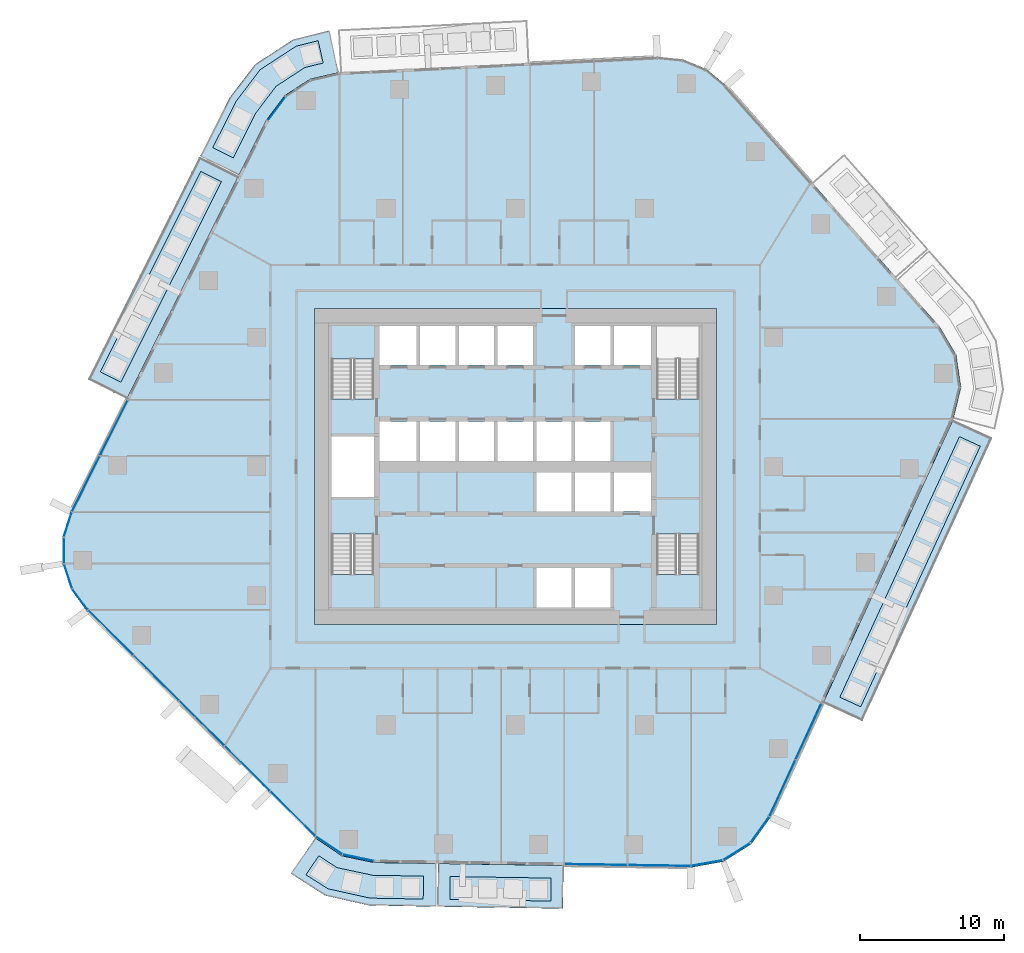
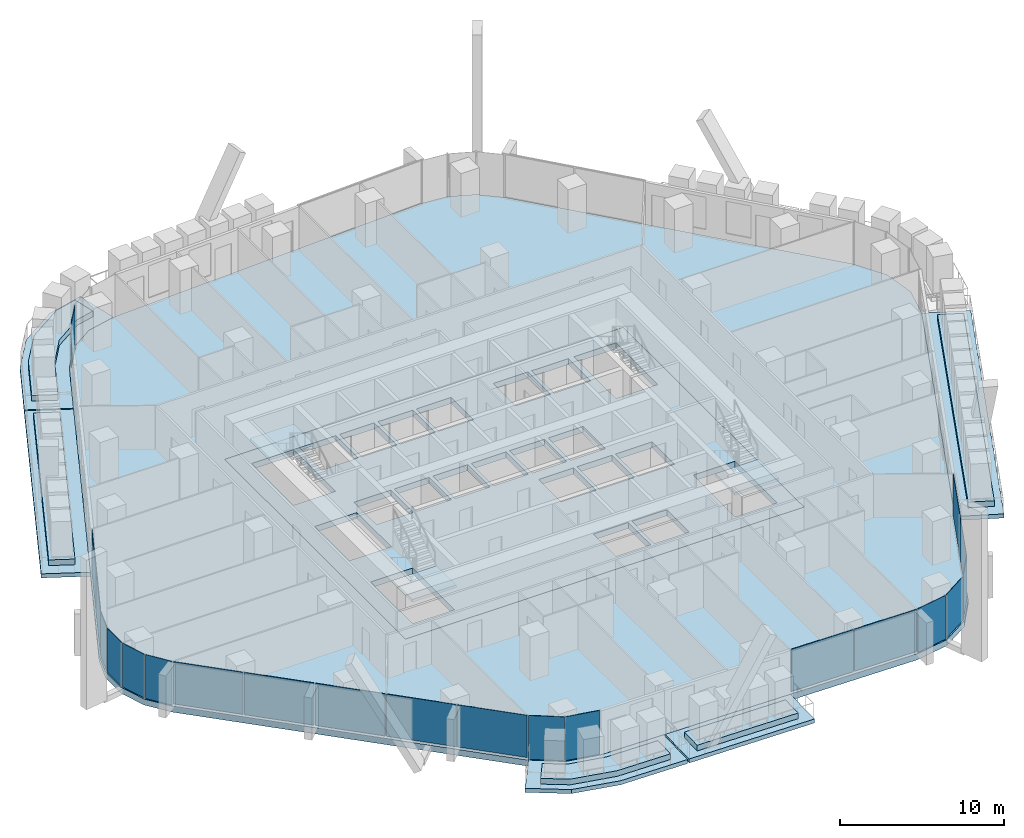
# One storey, part 10 of 26: 21 plates, 15 slabs, 11 elements without a shape of their own.
"""IFC4 building model written with IfcOpenShell, lengths in metres."""

from ifc_helpers import new_model, si_unit, direction, frame, origin, origin_2d, place, context, subcontext, project, spatial, polyline, rectangle, outline, extrude, material, layer, layer_set, type_object, element, aggregate, save


model = new_model("IFC4")

# Units and contexts
model_context = context("Model", 3, precision=1e-05, world=origin(), true_north=direction((0.0, 1.0)))
body_context = subcontext(model_context, "Body", "Model", "MODEL_VIEW")
ifc_project = project(units=[si_unit("LENGTHUNIT", "METRE"), si_unit("AREAUNIT", "SQUARE_METRE"), si_unit("VOLUMEUNIT", "CUBIC_METRE"), si_unit("PLANEANGLEUNIT", "RADIAN"), si_unit("MASSUNIT", "GRAM", prefix="KILO")], contexts=[model_context])

# Site, building, storey
site_placement = place(None, origin())
site = spatial("IfcSite", under=ifc_project, at=site_placement, CompositionType="ELEMENT")
building_placement = place(site_placement, origin())
building = spatial("IfcBuilding", under=site, at=building_placement, Name="Dongbaek Canopy Tower", CompositionType="ELEMENT")
storey_placement = place(building_placement, frame((0.0, 0.0, 95.199951171875)))
storey = spatial("IfcBuildingStorey", under=building, at=storey_placement, Name="L19", CompositionType="ELEMENT", Elevation=95.199951171875)

# Slabs
ifc_material_1 = material(Name="Concrete C40/50", Category="concrete")
ifc_layer_1 = layer(ifc_material_1, 0.300048828125)
ifc_layer_set_1 = layer_set([ifc_layer_1], Name="Balcony slab 300")
slab_type_1 = type_object("IfcSlabType", Name="Balcony slab 300", PredefinedType="FLOOR", material=ifc_layer_set_1)
slab_1_placement = place(storey_placement, frame((0.0, 0.0, -0.300048828125)))
element("IfcSlab", 1, at=slab_1_placement, inside=storey, type_object=slab_type_1, Name="Balcony L19 3", PredefinedType="FLOOR", context=body_context, shape_type="SweptSolid", body=[
    extrude(outline(polyline([(-19.29296875, 20.208740234375), (-27.054443359375, 4.7177734375), (-29.736572265625, 6.061767578125), (-21.97509765625, 21.552490234375), (-19.29296875, 20.208740234375)])), origin(), (0.0, 0.0, 1.0), 0.300048828125),
])
slab_2_placement = place(storey_placement, frame((0.0, 0.0, -0.300048828125)))
element("IfcSlab", 2, at=slab_2_placement, inside=storey, type_object=slab_type_1, Name="Balcony L19 7", PredefinedType="FLOOR", context=body_context, shape_type="SweptSolid", body=[
    extrude(outline(polyline([(-12.300537109375, 27.442138671875), (-14.301025390625, 26.98291015625), (-16.062255859375, 25.834228515625), (-17.31884765625, 24.1484375), (-19.248046875, 20.298095703125), (-21.93017578125, 21.641845703125), (-19.87255859375, 25.722900390625), (-18.115966796875, 28.02099609375), (-15.474365234375, 29.743896484375), (-12.971923828125, 30.365966796875), (-12.300537109375, 27.442138671875)])), origin(), (0.0, 0.0, 1.0), 0.300048828125),
])
slab_3_placement = place(storey_placement, frame((0.0, 0.0, -0.300048828125)))
element("IfcSlab", 3, at=slab_3_placement, inside=storey, type_object=slab_type_1, Name="Balcony L19 4", PredefinedType="FLOOR", context=body_context, shape_type="SweptSolid", body=[
    extrude(outline(polyline([(-5.375244140625, -27.649658203125), (3.3583984375, -27.7841796875), (3.312255859375, -30.783935546875), (-5.42138671875, -30.649169921875), (-5.375244140625, -27.649658203125)])), origin(), (0.0, 0.0, 1.0), 0.300048828125),
])
slab_4_placement = place(storey_placement, frame((0.0, 0.0, -0.300048828125)))
element("IfcSlab", 4, at=slab_4_placement, inside=storey, type_object=slab_type_1, Name="Balcony L19 8", PredefinedType="FLOOR", context=body_context, shape_type="SweptSolid", body=[
    extrude(outline(polyline([(-13.938720703125, -25.864013671875), (-12.08056640625, -27.110107421875), (-9.842041015625, -27.580810546875), (-5.47509765625, -27.64794921875), (-5.521484375, -30.647705078125), (-10.17529296875, -30.562255859375), (-13.245849609375, -29.87451171875), (-15.609619140625, -28.35546875), (-13.938720703125, -25.864013671875)])), origin(), (0.0, 0.0, 1.0), 0.300048828125),
])
slab_5_placement = place(storey_placement, frame((0.0, 0.0, -0.300048828125)))
element("IfcSlab", 5, at=slab_5_placement, inside=storey, type_object=slab_type_1, Name="Balcony L19 5", PredefinedType="FLOOR", context=body_context, shape_type="SweptSolid", body=[
    extrude(outline(polyline([(21.44091796875, -16.46435546875), (30.480712890625, 3.231689453125), (33.207275390625, 1.980224609375), (24.16748046875, -17.7158203125), (21.44091796875, -16.46435546875)])), origin(), (0.0, 0.0, 1.0), 0.300048828125),
])

# Curtain wall, plate
ifc_material_2 = material(Name="Aluminium 6063-T6 pale anodised", Category="aluminium")
ifc_layer_2 = layer(ifc_material_2, 0.199951171875)
ifc_layer_set_2 = layer_set([ifc_layer_2], Name="CW-1 unitised tower curtain wall")
curtain_wall_type = type_object("IfcCurtainWallType", Name="CW-1 unitised tower curtain wall", PredefinedType="NOTDEFINED", material=ifc_layer_set_2)
curtain_wall_1_placement = place(storey_placement, origin())
curtain_wall_1 = element("IfcCurtainWall", 6, at=curtain_wall_1_placement, inside=storey, type_object=curtain_wall_type, Name="CW-1 curtain wall K2.1b", PredefinedType="NOTDEFINED")
ifc_material_3 = material(Name="Clear laminated glass", Category="glass")
ifc_layer_3 = layer(ifc_material_3, 0.028076171875)
ifc_layer_set_3 = layer_set([ifc_layer_3], Name="CW-1 glazed panel 28")
plate_type = type_object("IfcPlateType", Name="CW-1 glazed panel 28", PredefinedType="CURTAIN_PANEL", material=ifc_layer_set_3)
plate_1_placement = place(storey_placement, frame((-16.613037109375, 24.927978515625, 0.0), z_axis=(0.0, 0.0, 1.0), x_axis=(-0.597679920267, -0.80173481458, 0.0)))
plate_1 = element("IfcPlate", 7, at=plate_1_placement, type_object=plate_type, Name="CW-1 panel K2.1b.2.1", PredefinedType="CURTAIN_PANEL", context=body_context, shape_type="SweptSolid", body=[
    extrude(rectangle(XDim=1.991943359375, YDim=0.028076171875, at=origin_2d()), origin(), (0.0, 0.0, 1.0), 3.25),
])
aggregate(curtain_wall_1, [plate_1])

# Curtain wall, plates
curtain_wall_2_placement = place(storey_placement, origin())
curtain_wall_2 = element("IfcCurtainWall", 8, at=curtain_wall_2_placement, inside=storey, type_object=curtain_wall_type, Name="CW-1 curtain wall F2.1", PredefinedType="NOTDEFINED")
plate_2_placement = place(storey_placement, frame((-27.963134765625, 2.6806640625, 0.1201171875), z_axis=(0.0, 0.0, 1.0), x_axis=(-0.447955625381, -0.894055791151, 0.0)))
plate_2 = element("IfcPlate", 9, at=plate_2_placement, type_object=plate_type, Name="CW-1 panel F2.1.1.1", PredefinedType="CURTAIN_PANEL", context=body_context, shape_type="SweptSolid", body=[
    extrude(rectangle(XDim=4.272705078125, YDim=0.028076171875, at=origin_2d()), origin(), (0.0, 0.0, 1.0), 3.1298828125),
])
plate_3_placement = place(storey_placement, frame((-29.9130859375, -1.210693359375, 0.1201171875), z_axis=(0.0, 0.0, 1.0), x_axis=(-0.447955625381, -0.894055791151, 0.0)))
plate_3 = element("IfcPlate", 10, at=plate_3_placement, type_object=plate_type, Name="CW-1 panel F2.1.2.1", PredefinedType="CURTAIN_PANEL", context=body_context, shape_type="SweptSolid", body=[
    extrude(rectangle(XDim=4.264892578125, YDim=0.028076171875, at=origin_2d()), origin(), (0.0, 0.0, 1.0), 3.1298828125),
])
aggregate(curtain_wall_2, [plate_2, plate_3])

curtain_wall_3_placement = place(storey_placement, origin())
curtain_wall_3 = element("IfcCurtainWall", 11, at=curtain_wall_3_placement, inside=storey, type_object=curtain_wall_type, Name="CW-1 curtain wall K3.1", PredefinedType="NOTDEFINED")
plate_4_placement = place(storey_placement, frame((-31.1669921875, -4.03515625, 0.0), z_axis=(0.0, 0.0, 1.0), x_axis=(-0.303048141579, -0.952975248307, 0.0)))
plate_4 = element("IfcPlate", 12, at=plate_4_placement, type_object=plate_type, Name="CW-1 panel K3.1.1.1", PredefinedType="CURTAIN_PANEL", context=body_context, shape_type="SweptSolid", body=[
    extrude(rectangle(XDim=1.763671875, YDim=0.028076171875, at=origin_2d()), origin(), (0.0, 0.0, 1.0), 3.25),
])
plate_5_placement = place(storey_placement, frame((-31.442138671875, -5.83544921875, 0.0), z_axis=(0.0, 0.0, 1.0), x_axis=(0.005286005708, -0.999986028974, 0.0)))
plate_5 = element("IfcPlate", 13, at=plate_5_placement, type_object=plate_type, Name="CW-1 panel K3.1.2.1", PredefinedType="CURTAIN_PANEL", context=body_context, shape_type="SweptSolid", body=[
    extrude(rectangle(XDim=1.755859375, YDim=0.028076171875, at=origin_2d()), origin(), (0.0, 0.0, 1.0), 3.25),
])
plate_6_placement = place(storey_placement, frame((-31.149169921875, -7.629150390625, 0.0), z_axis=(0.0, 0.0, 1.0), x_axis=(0.313105930571, -0.94971820886, 0.0)))
plate_6 = element("IfcPlate", 14, at=plate_6_placement, type_object=plate_type, Name="CW-1 panel K3.1.3.1", PredefinedType="CURTAIN_PANEL", context=body_context, shape_type="SweptSolid", body=[
    extrude(rectangle(XDim=1.755859375, YDim=0.028076171875, at=origin_2d()), origin(), (0.0, 0.0, 1.0), 3.25),
])
plate_7_placement = place(storey_placement, frame((-30.315673828125, -9.248291015625, 0.0), z_axis=(0.0, 0.0, 1.0), x_axis=(0.59046692307, -0.80706183949, 0.0)))
plate_7 = element("IfcPlate", 15, at=plate_7_placement, type_object=plate_type, Name="CW-1 panel K3.1.4.1", PredefinedType="CURTAIN_PANEL", context=body_context, shape_type="SweptSolid", body=[
    extrude(rectangle(XDim=1.763671875, YDim=0.028076171875, at=origin_2d()), origin(), (0.0, 0.0, 1.0), 3.25),
])
aggregate(curtain_wall_3, [plate_4, plate_5, plate_6, plate_7])

curtain_wall_4_placement = place(storey_placement, origin())
curtain_wall_4 = element("IfcCurtainWall", 16, at=curtain_wall_4_placement, inside=storey, type_object=curtain_wall_type, Name="CW-1 curtain wall F3.1", PredefinedType="NOTDEFINED")
plate_8_placement = place(storey_placement, frame((-28.186279296875, -11.56884765625, 0.1201171875), z_axis=(0.0, 0.0, 1.0), x_axis=(0.709102880768, -0.705105030819, 0.0)))
plate_8 = element("IfcPlate", 17, at=plate_8_placement, type_object=plate_type, Name="CW-1 panel F3.1.1.1", PredefinedType="CURTAIN_PANEL", context=body_context, shape_type="SweptSolid", body=[
    extrude(rectangle(XDim=4.383056640625, YDim=0.028076171875, at=origin_2d()), origin(), (0.0, 0.0, 1.0), 3.1298828125),
])
plate_9_placement = place(storey_placement, frame((-25.015869140625, -14.721435546875, 0.1201171875), z_axis=(0.0, 0.0, 1.0), x_axis=(0.709102880768, -0.705105030819, 0.0)))
plate_9 = element("IfcPlate", 18, at=plate_9_placement, type_object=plate_type, Name="CW-1 panel F3.1.2.1", PredefinedType="CURTAIN_PANEL", context=body_context, shape_type="SweptSolid", body=[
    extrude(rectangle(XDim=4.390869140625, YDim=0.028076171875, at=origin_2d()), origin(), (0.0, 0.0, 1.0), 3.1298828125),
])
plate_10_placement = place(storey_placement, frame((-21.8427734375, -17.876708984375, 0.1201171875), z_axis=(0.0, 0.0, 1.0), x_axis=(0.709102880768, -0.705105030819, 0.0)))
plate_10 = element("IfcPlate", 19, at=plate_10_placement, type_object=plate_type, Name="CW-1 panel F3.1.3.1", PredefinedType="CURTAIN_PANEL", context=body_context, shape_type="SweptSolid", body=[
    extrude(rectangle(XDim=4.390869140625, YDim=0.028076171875, at=origin_2d()), origin(), (0.0, 0.0, 1.0), 3.1298828125),
])
plate_11_placement = place(storey_placement, frame((-18.66943359375, -21.0322265625, 0.1201171875), z_axis=(0.0, 0.0, 1.0), x_axis=(0.709102880768, -0.705105030819, 0.0)))
plate_11 = element("IfcPlate", 20, at=plate_11_placement, type_object=plate_type, Name="CW-1 panel F3.1.4.1", PredefinedType="CURTAIN_PANEL", context=body_context, shape_type="SweptSolid", body=[
    extrude(rectangle(XDim=4.390869140625, YDim=0.028076171875, at=origin_2d()), origin(), (0.0, 0.0, 1.0), 3.1298828125),
])
plate_12_placement = place(storey_placement, frame((-15.499755859375, -24.18408203125, 0.1201171875), z_axis=(0.0, 0.0, 1.0), x_axis=(0.709102880768, -0.705105030819, 0.0)))
plate_12 = element("IfcPlate", 21, at=plate_12_placement, type_object=plate_type, Name="CW-1 panel F3.1.5.1", PredefinedType="CURTAIN_PANEL", context=body_context, shape_type="SweptSolid", body=[
    extrude(rectangle(XDim=4.38134765625, YDim=0.028076171875, at=origin_2d()), origin(), (0.0, 0.0, 1.0), 3.1298828125),
])
aggregate(curtain_wall_4, [plate_8, plate_9, plate_10, plate_11, plate_12])

curtain_wall_5_placement = place(storey_placement, origin())
curtain_wall_5 = element("IfcCurtainWall", 22, at=curtain_wall_5_placement, inside=storey, type_object=curtain_wall_type, Name="CW-1 curtain wall K4.1", PredefinedType="NOTDEFINED")
plate_13_placement = place(storey_placement, frame((-12.978759765625, -26.38720703125, 0.0), z_axis=(0.0, 0.0, 1.0), x_axis=(0.830505455557, -0.557010492083, 0.0)))
plate_13 = element("IfcPlate", 23, at=plate_13_placement, type_object=plate_type, Name="CW-1 panel K4.1.1.1", PredefinedType="CURTAIN_PANEL", context=body_context, shape_type="SweptSolid", body=[
    extrude(rectangle(XDim=2.17431640625, YDim=0.028076171875, at=origin_2d()), origin(), (0.0, 0.0, 1.0), 3.25),
])
plate_14_placement = place(storey_placement, frame((-10.935791015625, -27.24853515625, 0.0), z_axis=(0.0, 0.0, 1.0), x_axis=(0.978610165057, -0.205723466931, 0.0)))
plate_14 = element("IfcPlate", 24, at=plate_14_placement, type_object=plate_type, Name="CW-1 panel K4.1.2.1", PredefinedType="CURTAIN_PANEL", context=body_context, shape_type="SweptSolid", body=[
    extrude(rectangle(XDim=2.17431640625, YDim=0.028076171875, at=origin_2d()), origin(), (0.0, 0.0, 1.0), 3.25),
])
aggregate(curtain_wall_5, [plate_13, plate_14])

curtain_wall_6_placement = place(storey_placement, origin())
curtain_wall_6 = element("IfcCurtainWall", 25, at=curtain_wall_6_placement, inside=storey, type_object=curtain_wall_type, Name="CW-1 curtain wall F4.1", PredefinedType="NOTDEFINED")
plate_15_placement = place(storey_placement, frame((5.618408203125, -27.718994140625, 0.1201171875), z_axis=(0.0, 0.0, 1.0), x_axis=(0.999881214531, -0.015412878639, 0.0)))
plate_15 = element("IfcPlate", 26, at=plate_15_placement, type_object=plate_type, Name="CW-1 panel F4.1.1.1", PredefinedType="CURTAIN_PANEL", context=body_context, shape_type="SweptSolid", body=[
    extrude(rectangle(XDim=4.333251953125, YDim=0.028076171875, at=origin_2d()), origin(), (0.0, 0.0, 1.0), 3.1298828125),
])
plate_16_placement = place(storey_placement, frame((10.0302734375, -27.787109375, 0.1201171875), z_axis=(0.0, 0.0, 1.0), x_axis=(0.999881214531, -0.015412878639, 0.0)))
plate_16 = element("IfcPlate", 27, at=plate_16_placement, type_object=plate_type, Name="CW-1 panel F4.1.2.1", PredefinedType="CURTAIN_PANEL", context=body_context, shape_type="SweptSolid", body=[
    extrude(rectangle(XDim=4.32373046875, YDim=0.028076171875, at=origin_2d()), origin(), (0.0, 0.0, 1.0), 3.1298828125),
])
aggregate(curtain_wall_6, [plate_15, plate_16])

curtain_wall_7_placement = place(storey_placement, origin())
curtain_wall_7 = element("IfcCurtainWall", 28, at=curtain_wall_7_placement, inside=storey, type_object=curtain_wall_type, Name="CW-1 curtain wall K5.1", PredefinedType="NOTDEFINED")
plate_17_placement = place(storey_placement, frame((13.350341796875, -27.62109375, 0.0), z_axis=(0.0, 0.0, 1.0), x_axis=(0.984333827458, 0.176314821048, 0.0)))
plate_17 = element("IfcPlate", 29, at=plate_17_placement, type_object=plate_type, Name="CW-1 panel K5.1.1.1", PredefinedType="CURTAIN_PANEL", context=body_context, shape_type="SweptSolid", body=[
    extrude(rectangle(XDim=2.184326171875, YDim=0.028076171875, at=origin_2d()), origin(), (0.0, 0.0, 1.0), 3.25),
])
plate_18_placement = place(storey_placement, frame((15.422119140625, -26.81884765625, 0.0), z_axis=(0.0, 0.0, 1.0), x_axis=(0.845897275407, 0.533345853512, 0.0)))
plate_18 = element("IfcPlate", 30, at=plate_18_placement, type_object=plate_type, Name="CW-1 panel K5.1.2.1", PredefinedType="CURTAIN_PANEL", context=body_context, shape_type="SweptSolid", body=[
    extrude(rectangle(XDim=2.174560546875, YDim=0.028076171875, at=origin_2d()), origin(), (0.0, 0.0, 1.0), 3.25),
])
plate_19_placement = place(storey_placement, frame((17.0390625, -25.295166015625, 0.0), z_axis=(0.0, 0.0, 1.0), x_axis=(0.583421868273, 0.812169270301, 0.0)))
plate_19 = element("IfcPlate", 31, at=plate_19_placement, type_object=plate_type, Name="CW-1 panel K5.1.3.1", PredefinedType="CURTAIN_PANEL", context=body_context, shape_type="SweptSolid", body=[
    extrude(rectangle(XDim=2.184326171875, YDim=0.028076171875, at=origin_2d()), origin(), (0.0, 0.0, 1.0), 3.25),
])
aggregate(curtain_wall_7, [plate_17, plate_18, plate_19])

curtain_wall_8_placement = place(storey_placement, origin())
curtain_wall_8 = element("IfcCurtainWall", 32, at=curtain_wall_8_placement, inside=storey, type_object=curtain_wall_type, Name="CW-1 curtain wall F5.1", PredefinedType="NOTDEFINED")
plate_20_placement = place(storey_placement, frame((18.60693359375, -22.39990234375, 0.1201171875), z_axis=(0.0, 0.0, 1.0), x_axis=(0.417125975185, 0.908848678728, 0.0)))
plate_20 = element("IfcPlate", 33, at=plate_20_placement, type_object=plate_type, Name="CW-1 panel F5.1.1.1", PredefinedType="CURTAIN_PANEL", context=body_context, shape_type="SweptSolid", body=[
    extrude(rectangle(XDim=4.260498046875, YDim=0.028076171875, at=origin_2d()), origin(), (0.0, 0.0, 1.0), 3.1298828125),
])
plate_21_placement = place(storey_placement, frame((20.421142578125, -18.44677734375, 0.1201171875), z_axis=(0.0, 0.0, 1.0), x_axis=(0.417125975185, 0.908848678728, 0.0)))
plate_21 = element("IfcPlate", 34, at=plate_21_placement, type_object=plate_type, Name="CW-1 panel F5.1.2.1", PredefinedType="CURTAIN_PANEL", context=body_context, shape_type="SweptSolid", body=[
    extrude(rectangle(XDim=4.270263671875, YDim=0.028076171875, at=origin_2d()), origin(), (0.0, 0.0, 1.0), 3.1298828125),
])
aggregate(curtain_wall_8, [plate_20, plate_21])

# Slab
ifc_material_4 = material(Name="Concrete C40/50", Category="concrete")
ifc_layer_4 = layer(ifc_material_4, 0.449951171875)
ifc_layer_set_4 = layer_set([ifc_layer_4], Name="Core floor slab 450 Concrete C40/50")
slab_type_2 = type_object("IfcSlabType", Name="Core floor slab 450 Concrete C40/50", PredefinedType="FLOOR", material=ifc_layer_set_4)
slab_6_placement = place(storey_placement, frame((0.0, 0.0, -0.449951171875)))
element("IfcSlab", 35, at=slab_6_placement, inside=storey, type_object=slab_type_2, Name="Core floor slab L19", PredefinedType="FLOOR", context=body_context, shape_type="SweptSolid", body=[
    extrude(outline(polyline([(14.0, -11.0), (14.0, 11.0), (-14.0, 11.0), (-14.0, -11.0), (14.0, -11.0)]), holes=[polyline([(-12.800048828125, 2.10009765625), (-9.85009765625, 2.10009765625), (-9.85009765625, -2.10009765625), (-12.800048828125, -2.10009765625), (-12.800048828125, 2.10009765625)]), polyline([(-6.875, 9.800048828125), (-6.875, 7.074951171875), (-9.449951171875, 7.074951171875), (-9.449951171875, 9.800048828125), (-6.875, 9.800048828125)]), polyline([(-4.175048828125, 9.800048828125), (-4.175048828125, 7.074951171875), (-6.625, 7.074951171875), (-6.625, 9.800048828125), (-4.175048828125, 9.800048828125)]), polyline([(-1.47509765625, 9.800048828125), (-1.47509765625, 7.074951171875), (-3.925048828125, 7.074951171875), (-3.925048828125, 9.800048828125), (-1.47509765625, 9.800048828125)]), polyline([(1.22509765625, 9.800048828125), (1.22509765625, 7.074951171875), (-1.22509765625, 7.074951171875), (-1.22509765625, 9.800048828125), (1.22509765625, 9.800048828125)]), polyline([(6.625, 9.800048828125), (6.625, 7.074951171875), (4.175048828125, 7.074951171875), (4.175048828125, 9.800048828125), (6.625, 9.800048828125)]), polyline([(9.449951171875, 7.074951171875), (6.875, 7.074951171875), (6.875, 9.800048828125), (9.449951171875, 9.800048828125), (9.449951171875, 7.074951171875)]), polyline([(-9.449951171875, 3.125), (-6.875, 3.125), (-6.875, 0.39990234375), (-9.449951171875, 0.39990234375), (-9.449951171875, 3.125)]), polyline([(-6.625, 3.125), (-4.175048828125, 3.125), (-4.175048828125, 0.39990234375), (-6.625, 0.39990234375), (-6.625, 3.125)]), polyline([(-3.925048828125, 3.125), (-1.47509765625, 3.125), (-1.47509765625, 0.39990234375), (-3.925048828125, 0.39990234375), (-3.925048828125, 3.125)]), polyline([(-1.22509765625, 0.39990234375), (-1.22509765625, 3.125), (1.22509765625, 3.125), (1.22509765625, 0.39990234375), (-1.22509765625, 0.39990234375)]), polyline([(1.47509765625, 0.39990234375), (1.47509765625, 3.125), (3.925048828125, 3.125), (3.925048828125, 0.39990234375), (1.47509765625, 0.39990234375)]), polyline([(4.175048828125, 0.39990234375), (4.175048828125, 3.125), (6.625, 3.125), (6.625, 0.39990234375), (4.175048828125, 0.39990234375)]), polyline([(1.47509765625, -0.39990234375), (3.925048828125, -0.39990234375), (3.925048828125, -3.125), (1.47509765625, -3.125), (1.47509765625, -0.39990234375)]), polyline([(6.625, -0.39990234375), (6.625, -3.125), (4.175048828125, -3.125), (4.175048828125, -0.39990234375), (6.625, -0.39990234375)]), polyline([(9.449951171875, -3.125), (6.875, -3.125), (6.875, -0.39990234375), (9.449951171875, -0.39990234375), (9.449951171875, -3.125)]), polyline([(1.47509765625, -9.800048828125), (1.47509765625, -7.074951171875), (3.925048828125, -7.074951171875), (3.925048828125, -9.800048828125), (1.47509765625, -9.800048828125)]), polyline([(4.175048828125, -9.800048828125), (4.175048828125, -7.074951171875), (6.625, -7.074951171875), (6.625, -9.800048828125), (4.175048828125, -9.800048828125)]), polyline([(12.800048828125, 4.70068359375), (12.800048828125, 9.800048828125), (9.85009765625, 9.800048828125), (9.85009765625, 4.70068359375), (12.800048828125, 4.70068359375)]), polyline([(-9.85009765625, 4.70068359375), (-9.85009765625, 9.800048828125), (-12.800048828125, 9.800048828125), (-12.800048828125, 4.70068359375), (-9.85009765625, 4.70068359375)]), polyline([(9.85009765625, -4.70068359375), (9.85009765625, -9.800048828125), (12.800048828125, -9.800048828125), (12.800048828125, -4.70068359375), (9.85009765625, -4.70068359375)]), polyline([(-12.800048828125, -4.70068359375), (-12.800048828125, -9.800048828125), (-9.85009765625, -9.800048828125), (-9.85009765625, -4.70068359375), (-12.800048828125, -4.70068359375)])]), origin(), (0.0, 0.0, 1.0), 0.449951171875),
])

# Stair, slab
ifc_material_5 = material(Name="Concrete C40/50", Category="concrete")
stair_type = type_object("IfcStairType", Name="Core exit stair", PredefinedType="HALF_TURN_STAIR", material=ifc_material_5)
stair_1_placement = place(storey_placement, origin())
stair_1 = element("IfcStair", 36, at=stair_1_placement, inside=storey, type_object=stair_type, Name="L19 exit stair C", PredefinedType="HALF_TURN_STAIR")
ifc_material_6 = material(Name="Concrete C40/50", Category="concrete")
ifc_layer_5 = layer(ifc_material_6, 0.199951171875)
ifc_layer_set_5 = layer_set([ifc_layer_5], Name="Core stair landing 200")
slab_type_3 = type_object("IfcSlabType", Name="Core stair landing 200", PredefinedType="LANDING", material=ifc_layer_set_5)
slab_7_placement = place(storey_placement, frame((0.0, 0.0, 1.650146484375)))
slab_7 = element("IfcSlab", 37, at=slab_7_placement, type_object=slab_type_3, Name="ST-C landing 1", PredefinedType="LANDING", context=body_context, shape_type="SweptSolid", body=[
    extrude(outline(polyline([(-9.77490234375, 7.5), (-9.77490234375, 9.875), (-12.875, 9.875), (-12.875, 7.5), (-9.77490234375, 7.5)])), origin(), (0.0, 0.0, 1.0), 0.199951171875),
])
aggregate(stair_1, [slab_7])

stair_2_placement = place(storey_placement, origin())
stair_2 = element("IfcStair", 38, at=stair_2_placement, inside=storey, type_object=stair_type, Name="L19 exit stair B", PredefinedType="HALF_TURN_STAIR")
slab_8_placement = place(storey_placement, frame((0.0, 0.0, 1.650146484375)))
slab_8 = element("IfcSlab", 39, at=slab_8_placement, type_object=slab_type_3, Name="ST-B landing 1", PredefinedType="LANDING", context=body_context, shape_type="SweptSolid", body=[
    extrude(outline(polyline([(9.77490234375, -7.5), (9.77490234375, -9.875), (12.875, -9.875), (12.875, -7.5), (9.77490234375, -7.5)])), origin(), (0.0, 0.0, 1.0), 0.199951171875),
])
aggregate(stair_2, [slab_8])

stair_3_placement = place(storey_placement, origin())
stair_3 = element("IfcStair", 40, at=stair_3_placement, inside=storey, type_object=stair_type, Name="L19 exit stair D", PredefinedType="HALF_TURN_STAIR")
slab_9_placement = place(storey_placement, frame((0.0, 0.0, 1.650146484375)))
slab_9 = element("IfcSlab", 41, at=slab_9_placement, type_object=slab_type_3, Name="ST-D landing 1", PredefinedType="LANDING", context=body_context, shape_type="SweptSolid", body=[
    extrude(outline(polyline([(-12.875, -7.5), (-12.875, -9.875), (-9.77490234375, -9.875), (-9.77490234375, -7.5), (-12.875, -7.5)])), origin(), (0.0, 0.0, 1.0), 0.199951171875),
])
aggregate(stair_3, [slab_9])

# Slabs
ifc_material_7 = material(Name="Concrete C40", Category="concrete")
ifc_layer_6 = layer(ifc_material_7, 0.449951171875)
ifc_layer_set_6 = layer_set([ifc_layer_6], Name="RC FLAT PLATE 450 Concrete C40")
slab_type_4 = type_object("IfcSlabType", Name="RC FLAT PLATE 450 Concrete C40", PredefinedType="FLOOR", material=ifc_layer_set_6)
slab_10_placement = place(storey_placement, frame((0.0, 0.0, -0.449951171875)))
element("IfcSlab", 42, at=slab_10_placement, inside=storey, type_object=slab_type_4, Name="SLAB:L19", PredefinedType="FLOOR", context=body_context, shape_type="SweptSolid", body=[
    extrude(outline(polyline([(17.78759765625, -24.424560546875), (16.447021484375, -26.29052734375), (14.503662109375, -27.51611328125), (12.241943359375, -27.921142578125), (-9.842041015625, -27.580810546875), (-12.080322265625, -27.110107421875), (-13.97998046875, -25.8359375), (-29.84619140625, -10.059326171875), (-30.951171875, -8.549072265625), (-31.537109375, -6.771728515625), (-31.547119140625, -4.900390625), (-30.97998046875, -3.116943359375), (-17.31884765625, 24.1484375), (-16.062255859375, 25.833984375), (-14.301025390625, 26.98291015625), (-12.251708984375, 27.453369140625), (9.896728515625, 28.5517578125), (11.672607421875, 28.3740234375), (13.317626953125, 27.681884765625), (14.686279296875, 26.536376953125), (29.541015625, 9.7568359375), (30.70556640625, 7.77880859375), (31.042236328125, 5.508056640625), (30.50146484375, 3.277099609375), (17.78759765625, -24.424560546875)]), holes=[polyline([(14.0, 11.0), (-14.0, 11.0), (-14.0, -11.0), (14.0, -11.0), (14.0, 11.0)])]), origin(), (0.0, 0.0, 1.0), 0.449951171875),
])
ifc_material_8 = material(Name="Reinforced concrete C40/50 planter box with soil", Category="concrete")
ifc_layer_7 = layer(ifc_material_8, 0.419921875)
ifc_layer_set_7 = layer_set([ifc_layer_7], Name="Terrace planter box 1600 x 420")
slab_type_5 = type_object("IfcSlabType", Name="Terrace planter box 1600 x 420", PredefinedType="USERDEFINED", material=ifc_layer_set_7)
slab_11_placement = place(storey_placement, origin())
element("IfcSlab", 43, at=slab_11_placement, inside=storey, type_object=slab_type_5, Name="Balcony planter L19 3", ObjectType="PLANTER", PredefinedType="USERDEFINED", context=body_context, shape_type="SweptSolid", body=[
    extrude(outline(polyline([(-20.469482421875, 19.847412109375), (-27.469482421875, 5.87646484375), (-28.89990234375, 6.59326171875), (-21.89990234375, 20.564208984375), (-20.469482421875, 19.847412109375)])), origin(), (0.0, 0.0, 1.0), 0.420166015625),
])
slab_12_placement = place(storey_placement, origin())
element("IfcSlab", 44, at=slab_12_placement, inside=storey, type_object=slab_type_5, Name="Balcony planter L19 7", ObjectType="PLANTER", PredefinedType="USERDEFINED", context=body_context, shape_type="SweptSolid", body=[
    extrude(outline(polyline([(-13.376953125, 28.108154296875), (-14.649169921875, 27.802001953125), (-16.671630859375, 26.48291015625), (-18.076416015625, 24.615478515625), (-19.640625, 21.50146484375), (-21.071044921875, 22.218017578125), (-19.4384765625, 25.455322265625), (-17.766845703125, 27.649169921875), (-15.27490234375, 29.2744140625), (-13.73486328125, 29.66748046875), (-13.376953125, 28.108154296875)])), origin(), (0.0, 0.0, 1.0), 0.420166015625),
])
slab_13_placement = place(storey_placement, origin())
element("IfcSlab", 45, at=slab_13_placement, inside=storey, type_object=slab_type_5, Name="Balcony planter L19 4", ObjectType="PLANTER", PredefinedType="USERDEFINED", context=body_context, shape_type="SweptSolid", body=[
    extrude(outline(polyline([(-4.5390625, -28.552490234375), (2.494873046875, -28.660888671875), (2.47021484375, -30.2607421875), (-4.563720703125, -30.15234375), (-4.5390625, -28.552490234375)])), origin(), (0.0, 0.0, 1.0), 0.420166015625),
])
slab_14_placement = place(storey_placement, origin())
element("IfcSlab", 46, at=slab_14_placement, inside=storey, type_object=slab_type_5, Name="Balcony planter L19 8", ObjectType="PLANTER", PredefinedType="USERDEFINED", context=body_context, shape_type="SweptSolid", body=[
    extrude(outline(polyline([(-13.68701171875, -27.104248046875), (-12.42626953125, -27.93017578125), (-9.94091796875, -28.465087890625), (-6.388916015625, -28.524169921875), (-6.41357421875, -30.123779296875), (-10.11865234375, -30.055419921875), (-13.0478515625, -29.404541015625), (-14.578125, -28.43310546875), (-13.68701171875, -27.104248046875)])), origin(), (0.0, 0.0, 1.0), 0.420166015625),
])
slab_15_placement = place(storey_placement, origin())
element("IfcSlab", 47, at=slab_15_placement, inside=storey, type_object=slab_type_5, Name="Balcony planter L19 5", ObjectType="PLANTER", PredefinedType="USERDEFINED", context=body_context, shape_type="SweptSolid", body=[
    extrude(outline(polyline([(22.6044921875, -16.063232421875), (30.93505859375, 2.087890625), (32.38916015625, 1.42041015625), (24.05859375, -16.73046875), (22.6044921875, -16.063232421875)])), origin(), (0.0, 0.0, 1.0), 0.420166015625),
])

save(model, "model.ifc")
